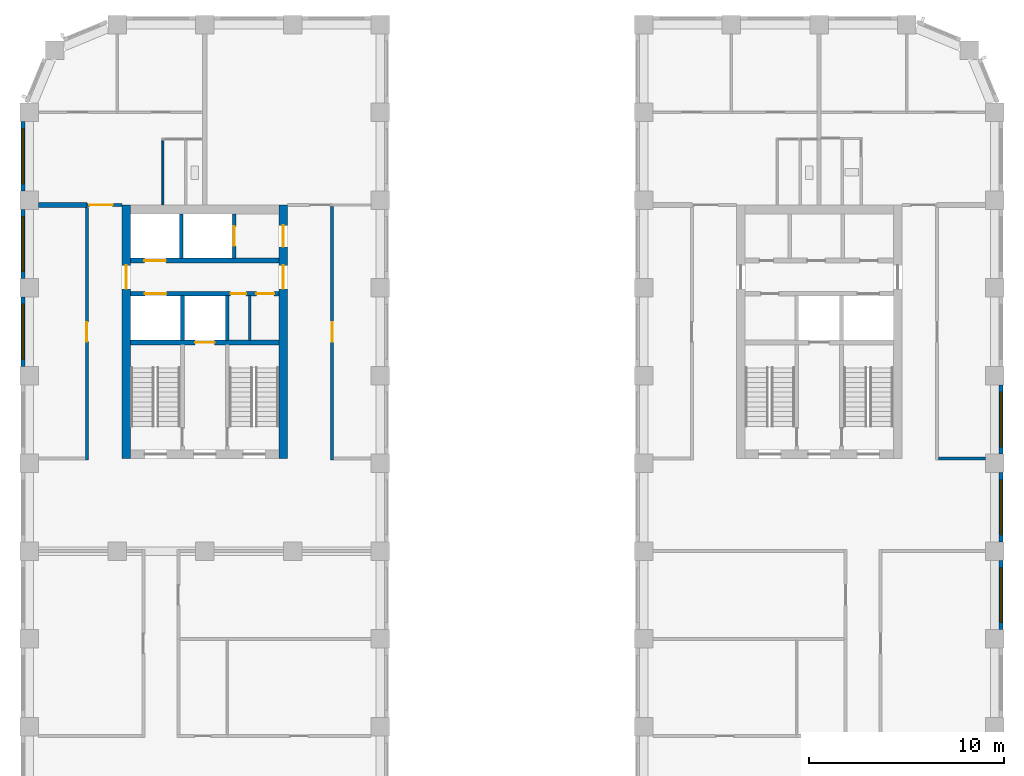
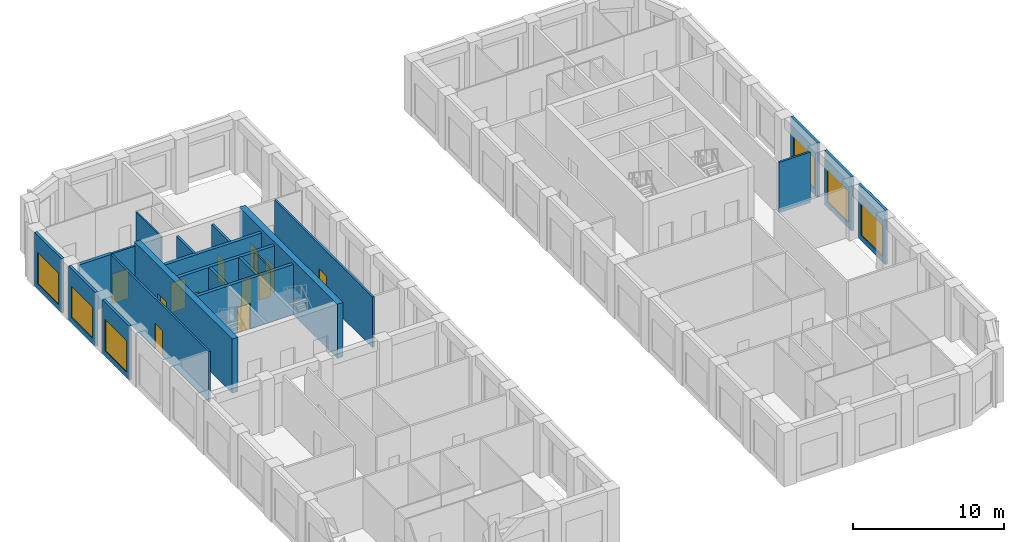
# One storey, part 6 of 12: 22 walls, 12 doors, 6 windows, 18 openings.
"""IFC4 building model written with IfcOpenShell, lengths in metres."""

import ifcopenshell
import ifcopenshell.guid

model = None  # the IFC model being written
_history = None  # IfcOwnerHistory: only IFC2X3 demands one
_inside = {}  # id of a spatial element -> (the spatial element, [elements in it])
_under = {}  # id of a project, library or spatial element -> (it, [spatial elements below it])
_declared = {}  # id of a project -> (the project, [libraries it declares])
_typed = {}  # id of a type object -> (the type object, [elements of that type])
_made_of = {}  # id of a material, layer set ... -> (it, [elements and type objects made of it])


def new_model(schema):
    """Start an empty IFC model of exactly this schema.

    Asked for "IFC4X3", IfcOpenShell would pick the latest addendum, in which some entities
    have other attributes; the version numbers below select the first issue.
    IFC2X3 requires an IfcOwnerHistory on every rooted entity: one is made here for all.
    """
    global model, _history
    if schema == "IFC4X3":
        model = ifcopenshell.file(schema_version=(4, 3, 0, 0))
    else:
        model = ifcopenshell.file(schema=schema)
    _inside.clear()
    _under.clear()
    _declared.clear()
    _typed.clear()
    _made_of.clear()
    _history = None
    if model.schema == "IFC2X3":
        org = make("IfcOrganization", Name="unknown")
        user = make(
            "IfcPersonAndOrganization",
            ThePerson=make("IfcPerson", FamilyName="unknown"),
            TheOrganization=org,
        )
        app = make(
            "IfcApplication",
            ApplicationDeveloper=org,
            Version="unknown",
            ApplicationFullName="unknown",
            ApplicationIdentifier="unknown",
        )
        _history = make(
            "IfcOwnerHistory",
            OwningUser=user,
            OwningApplication=app,
            ChangeAction="ADDED",
            CreationDate=0,
        )
    return model


def make(cls, **values):
    """One entity of the class cls with the attributes given. An attribute that is None is left unset."""
    return model.create_entity(
        cls, **{name: value for name, value in values.items() if value is not None}
    )


def rooted(cls, **values):
    """An entity with a GlobalId (a new one), such as an element, a storey or a relation."""
    return make(cls, GlobalId=ifcopenshell.guid.new(), OwnerHistory=_history, **values)


def si_unit(unit_type, name, prefix=None):
    """IfcSIUnit, for example si_unit("LENGTHUNIT", "METRE", prefix="MILLI")."""
    return make("IfcSIUnit", UnitType=unit_type, Prefix=prefix, Name=name)


def assignment(units):
    """IfcUnitAssignment: the units of a project."""
    return None if units is None else make("IfcUnitAssignment", Units=units)


def point(xyz):
    """IfcCartesianPoint."""
    return None if xyz is None else make("IfcCartesianPoint", Coordinates=xyz)


def direction(xyz):
    """IfcDirection."""
    return None if xyz is None else make("IfcDirection", DirectionRatios=xyz)


def frame(location, z_axis=None, x_axis=None):
    """IfcAxis2Placement3D, a coordinate frame: its origin and axes. An axis left out is left unset."""
    return make(
        "IfcAxis2Placement3D",
        Location=point(location),
        Axis=direction(z_axis),
        RefDirection=direction(x_axis),
    )


def frame_2d(location, x_axis=None):
    """IfcAxis2Placement2D, a coordinate frame in the plane: its origin and x axis."""
    return make(
        "IfcAxis2Placement2D", Location=point(location), RefDirection=direction(x_axis)
    )


def origin():
    """The frame at (0, 0, 0) with its axes left unset."""
    return frame((0.0, 0.0, 0.0))


def place(relative_to, where):
    """IfcLocalPlacement: puts the frame where relative to a parent placement (None: the world)."""
    return make(
        "IfcLocalPlacement", PlacementRelTo=relative_to, RelativePlacement=where
    )


def context(
    kind, dimensions, precision=None, world=None, true_north=None, identifier=None
):
    """IfcGeometricRepresentationContext, for example the 3D "Model" context."""
    return make(
        "IfcGeometricRepresentationContext",
        ContextIdentifier=identifier,
        ContextType=kind,
        CoordinateSpaceDimension=dimensions,
        Precision=precision,
        WorldCoordinateSystem=world,
        TrueNorth=true_north,
    )


def subcontext(parent, identifier, kind, view, scale=None):
    """IfcGeometricRepresentationSubContext, for example "Body" below "Model"."""
    return make(
        "IfcGeometricRepresentationSubContext",
        ContextIdentifier=identifier,
        ContextType=kind,
        ParentContext=parent,
        TargetScale=scale,
        TargetView=view,
    )


def project(units=None, contexts=None):
    """IfcProject with its units and contexts."""
    return rooted(
        "IfcProject",
        Name="project",
        RepresentationContexts=contexts,
        UnitsInContext=assignment(units),
    )


def spatial(cls, under=None, at=None, **own):
    """A site, building, storey or space (cls), placed at a placement, below another one or the project."""
    s = rooted(cls, ObjectPlacement=at, **own)
    if under is not None:
        _under.setdefault(under.id(), (under, []))[1].append(s)
    return s


def profile(cls, at=None, kind="AREA", **sizes):
    """A parametric profile (cls). Its sizes go by their IFC names, for example OverallWidth=200.0."""
    return make(cls, ProfileType=kind, Position=at, **sizes)


def rectangle(**sizes):
    """IfcRectangleProfileDef."""
    return profile("IfcRectangleProfileDef", **sizes)


def extrude(swept, where, along, depth):
    """IfcExtrudedAreaSolid: the profile swept, set in the frame where, extruded along a direction by depth."""
    return make(
        "IfcExtrudedAreaSolid",
        SweptArea=swept,
        Position=where,
        ExtrudedDirection=direction(along),
        Depth=depth,
    )


def shape(context_of_items, identifier, shape_type, items):
    """IfcShapeRepresentation: the items that make up one representation, for example the "Body"."""
    return make(
        "IfcShapeRepresentation",
        ContextOfItems=context_of_items,
        RepresentationIdentifier=identifier,
        RepresentationType=shape_type,
        Items=items,
    )


def material(Name=None, Category=None):
    """IfcMaterial."""
    return make("IfcMaterial", Name=Name, Category=Category)


def layer(
    of_material, thickness, ventilated=None, Name=None, Category=None, Priority=None
):
    """IfcMaterialLayer: one layer of a wall or slab, of a material (None: an air gap)."""
    return make(
        "IfcMaterialLayer",
        Material=of_material,
        LayerThickness=thickness,
        IsVentilated=ventilated,
        Name=Name,
        Category=Category,
        Priority=Priority,
    )


def layer_set(layers, Name=None):
    """IfcMaterialLayerSet."""
    return make("IfcMaterialLayerSet", MaterialLayers=layers, LayerSetName=Name)


def made_of(thing, what):
    """Note that an element or type object is made of a material, layer set ...; save() writes the relation."""
    if what is not None:
        _made_of.setdefault(what.id(), (what, []))[1].append(thing)
    return thing


def type_object(cls, material=None, **own):
    """A type object (cls), such as IfcWallType, which elements share."""
    return made_of(rooted(cls, **own), material)


def element(
    cls,
    number,
    at=None,
    inside=None,
    cuts=None,
    type_object=None,
    material=None,
    context=None,
    identifier="Body",
    shape_type=None,
    held_by="IfcProductDefinitionShape",
    body=None,
    shapes=None,
    **own,
):
    """One element of the class cls, such as IfcWall. Its Tag is "e" and its number.

    at: its placement. inside: the storey or other place that contains it. cuts: it is an
    opening in that element (IfcRelVoidsElement). A single representation is given by context,
    identifier, shape_type and body (its items); several are given by shapes. held_by: the class
    of the entity that holds the representations. save() writes the other relations.
    """
    e = rooted(cls, Tag="e%d" % number, ObjectPlacement=at, **own)
    if body is not None:
        shapes = [shape(context, identifier, shape_type, body)]
    if shapes is not None:
        e.Representation = make(held_by, Representations=shapes)
    if inside is not None:
        _inside.setdefault(inside.id(), (inside, []))[1].append(e)
    if cuts is not None:
        rooted(
            "IfcRelVoidsElement", RelatingBuildingElement=cuts, RelatedOpeningElement=e
        )
    if type_object is not None:
        _typed.setdefault(type_object.id(), (type_object, []))[1].append(e)
    return made_of(e, material)


def fill(opening, filler):
    """IfcRelFillsElement: the door or window that sits in an opening."""
    return rooted(
        "IfcRelFillsElement",
        RelatingOpeningElement=opening,
        RelatedBuildingElement=filler,
    )


def aggregate(whole, parts):
    """IfcRelAggregates: a whole, such as a stair, and the parts it consists of."""
    return rooted("IfcRelAggregates", RelatingObject=whole, RelatedObjects=parts)


def save(model, path):
    """Write the relations noted so far, then the file.

    IfcRelAggregates (storeys below a building ...), IfcRelContainedInSpatialStructure (elements
    in a storey), IfcRelDefinesByType, IfcRelAssociatesMaterial and IfcRelDeclares: one each for
    every whole, place, type object, material and project.
    """
    for whole, parts in _under.values():
        aggregate(whole, parts)
    for where, things in _inside.values():
        rooted(
            "IfcRelContainedInSpatialStructure",
            RelatedElements=things,
            RelatingStructure=where,
        )
    for kind, things in _typed.values():
        rooted("IfcRelDefinesByType", RelatedObjects=things, RelatingType=kind)
    for what, things in _made_of.values():
        rooted("IfcRelAssociatesMaterial", RelatedObjects=things, RelatingMaterial=what)
    for by, libraries in _declared.values():
        rooted("IfcRelDeclares", RelatingContext=by, RelatedDefinitions=libraries)
    model.write(path)


model = new_model("IFC4")

# Units and contexts
model_context = context("Model", 3, precision=1e-05, world=origin(), true_north=direction((0.0, 1.0)))
body_context = subcontext(model_context, "Body", "Model", "MODEL_VIEW")
ifc_project = project(units=[si_unit("LENGTHUNIT", "METRE"), si_unit("AREAUNIT", "SQUARE_METRE"), si_unit("VOLUMEUNIT", "CUBIC_METRE"), si_unit("PLANEANGLEUNIT", "RADIAN"), si_unit("MASSUNIT", "GRAM", prefix="KILO")], contexts=[model_context])

# Site, building, storey
site_placement = place(None, origin())
site = spatial("IfcSite", under=ifc_project, at=site_placement, CompositionType="ELEMENT")
building_placement = place(site_placement, origin())
building = spatial("IfcBuilding", under=site, at=building_placement, Name="Girih Gate Residences", CompositionType="ELEMENT")
storey_placement = place(building_placement, frame((0.0, 0.0, 155.0)))
storey = spatial("IfcBuildingStorey", under=building, at=storey_placement, Name="L43", CompositionType="ELEMENT", Elevation=155.0)

# Wall
ifc_material_1 = material(Name="Gypsum board on steel studs", Category="steel")
ifc_layer_1 = layer(ifc_material_1, 0.25)
ifc_layer_set_1 = layer_set([ifc_layer_1], Name="Acoustic separating wall 250 mm")
wall_type_1 = type_object("IfcWallType", Name="Acoustic separating wall 250 mm", PredefinedType="PARTITIONING", material=ifc_layer_set_1)
wall_1_placement = place(storey_placement, frame((0.47509765625, 40.25, 0.0), z_axis=(0.0, 0.0, 1.0), x_axis=(1.0, 0.0, 0.0)))
element("IfcWall", 1, at=wall_1_placement, inside=storey, type_object=wall_type_1, Name="L43 partition", PredefinedType="PARTITIONING", context=body_context, shape_type="SweptSolid", body=[
    extrude(rectangle(XDim=2.474853515625, YDim=0.25, at=frame_2d((1.2373046875, 0.0))), origin(), (0.0, 0.0, 1.0), 4.10009765625),
])

# Wall, opening, door
ifc_layer_2 = layer(ifc_material_1, 0.14990234375)
ifc_layer_set_2 = layer_set([ifc_layer_2], Name="Compartment wall 150 mm")
wall_type_2 = type_object("IfcWallType", Name="Compartment wall 150 mm", PredefinedType="PARTITIONING", material=ifc_layer_set_2)
wall_2_placement = place(storey_placement, frame((2.949951171875, 40.25, 0.0), z_axis=(0.0, 0.0, 1.0), x_axis=(1.0, 0.0, 0.0)))
wall_2 = element("IfcWall", 2, at=wall_2_placement, inside=storey, type_object=wall_type_2, Name="L43 partition", PredefinedType="PARTITIONING", context=body_context, shape_type="SweptSolid", body=[
    extrude(rectangle(XDim=1.800048828125, YDim=0.14990234375, at=frame_2d((0.89990234375, 0.0))), origin(), (0.0, 0.0, 1.0), 4.10009765625),
])
opening_1_placement = place(wall_2_placement, frame((0.1298828125, 0.0, 0.0)))
opening_1 = element("IfcOpeningElement", 3, at=opening_1_placement, cuts=wall_2, Name="Opening A43-012", PredefinedType="OPENING", context=body_context, shape_type="SweptSolid", body=[
    extrude(rectangle(XDim=1.199951171875, YDim=2.39990234375, at=frame_2d((0.60009765625, 1.199951171875))), frame((0.0, 0.0849609375, 0.0), z_axis=(0.0, -1.0, 0.0), x_axis=(1.0, 0.0, 0.0)), (0.0, 0.0, 1.0), 0.169921875),
])
ifc_material_2 = material(Name="Timber, fire-rated core", Category="wood")
door_type_1 = type_object("IfcDoorType", Name="Villa entrance door 1200x2400 FD30S", OperationType="NOTDEFINED", PredefinedType="DOOR", material=ifc_material_2)
door_1_placement = place(opening_1_placement, origin())
door_1 = element("IfcDoor", 4, at=door_1_placement, inside=storey, type_object=door_type_1, Name="Door A43-012", OperationType="SINGLE_SWING_LEFT", OverallHeight=2.39990234375, OverallWidth=1.199951171875, PredefinedType="DOOR", context=body_context, shape_type="SweptSolid", body=[
    extrude(rectangle(XDim=1.199951171875, YDim=2.39990234375, at=frame_2d((0.60009765625, 1.199951171875))), frame((0.0, 0.02490234375, 0.0), z_axis=(0.0, -1.0, 0.0), x_axis=(1.0, 0.0, 0.0)), (0.0, 0.0, 1.0), 0.050048828125),
])
fill(opening_1, door_1)

# Wall
wall_3_placement = place(storey_placement, frame((46.625, 27.25, 0.0), z_axis=(0.0, 0.0, 1.0), x_axis=(1.0, 0.0, 0.0)))
element("IfcWall", 5, at=wall_3_placement, inside=storey, type_object=wall_type_2, Name="L43 partition", PredefinedType="PARTITIONING", context=body_context, shape_type="SweptSolid", body=[
    extrude(rectangle(XDim=2.39990234375, YDim=0.14990234375, at=frame_2d((1.199951171875, 0.0))), origin(), (0.0, 0.0, 1.0), 4.10009765625),
])

# Wall, opening, door
wall_4_placement = place(storey_placement, frame((15.52490234375, 40.175048828125, 0.0), z_axis=(0.0, 0.0, 1.0), x_axis=(0.0, -1.0, 0.0)))
wall_4 = element("IfcWall", 6, at=wall_4_placement, inside=storey, type_object=wall_type_2, Name="L43 partition", PredefinedType="PARTITIONING", context=body_context, shape_type="SweptSolid", body=[
    extrude(rectangle(XDim=13.0, YDim=0.14990234375, at=frame_2d((6.5, 0.0))), origin(), (0.0, 0.0, 1.0), 4.10009765625),
])
opening_2_placement = place(wall_4_placement, frame((5.925048828125, 0.0, 0.0)))
opening_2 = element("IfcOpeningElement", 7, at=opening_2_placement, cuts=wall_4, Name="Opening A43-042", PredefinedType="OPENING", context=body_context, shape_type="SweptSolid", body=[
    extrude(rectangle(XDim=1.0, YDim=2.10009765625, at=frame_2d((0.5, 1.050048828125))), frame((0.0, 0.0849609375, 0.0), z_axis=(0.0, -1.0, 0.0), x_axis=(1.0, 0.0, 0.0)), (0.0, 0.0, 1.0), 0.169921875),
])
door_type_2 = type_object("IfcDoorType", Name="Amenity room door 1000x2100 FD30S", OperationType="NOTDEFINED", PredefinedType="DOOR", material=ifc_material_2)
door_2_placement = place(opening_2_placement, origin())
door_2 = element("IfcDoor", 8, at=door_2_placement, inside=storey, type_object=door_type_2, Name="Door A43-042", OperationType="SINGLE_SWING_LEFT", OverallHeight=2.10009765625, OverallWidth=1.0, PredefinedType="DOOR", context=body_context, shape_type="SweptSolid", body=[
    extrude(rectangle(XDim=1.0, YDim=2.10009765625, at=frame_2d((0.5, 1.050048828125))), frame((0.0, 0.02490234375, 0.0), z_axis=(0.0, -1.0, 0.0), x_axis=(1.0, 0.0, 0.0)), (0.0, 0.0, 1.0), 0.050048828125),
])
fill(opening_2, door_2)

wall_5_placement = place(storey_placement, frame((2.949951171875, 27.175048828125, 0.0), z_axis=(0.0, 0.0, 1.0), x_axis=(0.0, 1.0, 0.0)))
wall_5 = element("IfcWall", 9, at=wall_5_placement, inside=storey, type_object=wall_type_2, Name="L43 partition", PredefinedType="PARTITIONING", context=body_context, shape_type="SweptSolid", body=[
    extrude(rectangle(XDim=12.949951171875, YDim=0.14990234375, at=frame_2d((6.47509765625, 0.0))), origin(), (0.0, 0.0, 1.0), 4.10009765625),
])
opening_3_placement = place(wall_5_placement, frame((6.074951171875, 0.0, 0.0)))
opening_3 = element("IfcOpeningElement", 10, at=opening_3_placement, cuts=wall_5, Name="Opening A43-043", PredefinedType="OPENING", context=body_context, shape_type="SweptSolid", body=[
    extrude(rectangle(XDim=1.0, YDim=2.10009765625, at=frame_2d((0.5, 1.050048828125))), frame((0.0, 0.0849609375, 0.0), z_axis=(0.0, -1.0, 0.0), x_axis=(1.0, 0.0, 0.0)), (0.0, 0.0, 1.0), 0.169921875),
])
door_3_placement = place(opening_3_placement, origin())
door_3 = element("IfcDoor", 11, at=door_3_placement, inside=storey, type_object=door_type_2, Name="Door A43-043", OperationType="SINGLE_SWING_RIGHT", OverallHeight=2.10009765625, OverallWidth=1.0, PredefinedType="DOOR", context=body_context, shape_type="SweptSolid", body=[
    extrude(rectangle(XDim=1.0, YDim=2.10009765625, at=frame_2d((0.5, 1.050048828125))), frame((0.0, 0.02490234375, 0.0), z_axis=(0.0, -1.0, 0.0), x_axis=(1.0, 0.0, 0.0)), (0.0, 0.0, 1.0), 0.050048828125),
])
fill(opening_3, door_3)

ifc_material_3 = material(Name="Concrete C60/75", Category="concrete")
ifc_layer_3 = layer(ifc_material_3, 0.449951171875)
ifc_layer_set_3 = layer_set([ifc_layer_3], Name="Core wall RC 450 Concrete C60/75")
wall_type_3 = type_object("IfcWallType", Name="Core wall RC 450 Concrete C60/75", PredefinedType="SOLIDWALL", material=ifc_layer_set_3)
wall_6_placement = place(storey_placement, frame((4.97509765625, 27.25, 0.0), z_axis=(0.0, 0.0, 1.0), x_axis=(0.0, 1.0, 0.0)))
wall_6 = element("IfcWall", 12, at=wall_6_placement, inside=storey, type_object=wall_type_3, Name="Core wall W-W L43", PredefinedType="SOLIDWALL", context=body_context, shape_type="SweptSolid", body=[
    extrude(rectangle(XDim=13.0, YDim=0.449951171875, at=frame_2d((6.5, 0.0))), origin(), (0.0, 0.0, 1.0), 4.39990234375),
])
opening_4_placement = place(wall_6_placement, frame((8.699951171875, 0.0, 0.0)))
opening_4 = element("IfcOpeningElement", 13, at=opening_4_placement, cuts=wall_6, Name="Opening D-L43-W-013", PredefinedType="OPENING", context=body_context, shape_type="SweptSolid", body=[
    extrude(rectangle(XDim=1.199951171875, YDim=2.10009765625, at=frame_2d((0.60009765625, 1.050048828125))), frame((0.0, 0.23486328125, 0.0), z_axis=(0.0, -1.0, 0.0), x_axis=(1.0, 0.0, 0.0)), (0.0, 0.0, 1.0), 0.469970703125),
])
ifc_material_4 = material(Name="Painted steel, fire-resisting", Category="steel")
door_type_3 = type_object("IfcDoorType", Name="Fire door 1200x2100", OperationType="SINGLE_SWING_LEFT", PredefinedType="DOOR", material=ifc_material_4)
door_4_placement = place(opening_4_placement, origin())
door_4 = element("IfcDoor", 14, at=door_4_placement, inside=storey, type_object=door_type_3, Name="L43 W core door ll-w", OperationType="SINGLE_SWING_LEFT", OverallHeight=2.10009765625, OverallWidth=1.199951171875, PredefinedType="DOOR", context=body_context, shape_type="SweptSolid", body=[
    extrude(rectangle(XDim=1.199951171875, YDim=2.10009765625, at=frame_2d((0.60009765625, 1.050048828125))), frame((0.0, 0.02490234375, 0.0), z_axis=(0.0, -1.0, 0.0), x_axis=(1.0, 0.0, 0.0)), (0.0, 0.0, 1.0), 0.050048828125),
])
fill(opening_4, door_4)

# Wall, openings, doors
wall_7_placement = place(storey_placement, frame((13.02490234375, 27.25, 0.0), z_axis=(0.0, 0.0, 1.0), x_axis=(0.0, 1.0, 0.0)))
wall_7 = element("IfcWall", 15, at=wall_7_placement, inside=storey, type_object=wall_type_3, Name="Core wall W-E L43", PredefinedType="SOLIDWALL", context=body_context, shape_type="SweptSolid", body=[
    extrude(rectangle(XDim=13.0, YDim=0.449951171875, at=frame_2d((6.5, 0.0))), origin(), (0.0, 0.0, 1.0), 4.39990234375),
])
opening_5_placement = place(wall_7_placement, frame((10.85009765625, 0.0, 0.0)))
opening_5 = element("IfcOpeningElement", 16, at=opening_5_placement, cuts=wall_7, Name="Opening D-L43-W-012", PredefinedType="OPENING", context=body_context, shape_type="SweptSolid", body=[
    extrude(rectangle(XDim=1.10009765625, YDim=2.10009765625, at=frame_2d((0.550048828125, 1.050048828125))), frame((0.0, 0.23486328125, 0.0), z_axis=(0.0, -1.0, 0.0), x_axis=(1.0, 0.0, 0.0)), (0.0, 0.0, 1.0), 0.469970703125),
])
opening_6_placement = place(wall_7_placement, frame((8.699951171875, 0.0, 0.0)))
opening_6 = element("IfcOpeningElement", 17, at=opening_6_placement, cuts=wall_7, Name="Opening D-L43-W-014", PredefinedType="OPENING", context=body_context, shape_type="SweptSolid", body=[
    extrude(rectangle(XDim=1.199951171875, YDim=2.10009765625, at=frame_2d((0.60009765625, 1.050048828125))), frame((0.0, 0.23486328125, 0.0), z_axis=(0.0, -1.0, 0.0), x_axis=(1.0, 0.0, 0.0)), (0.0, 0.0, 1.0), 0.469970703125),
])
door_type_4 = type_object("IfcDoorType", Name="Fire door 1100x2100", OperationType="SINGLE_SWING_LEFT", PredefinedType="DOOR", material=ifc_material_4)
door_5_placement = place(opening_5_placement, origin())
door_5 = element("IfcDoor", 18, at=door_5_placement, inside=storey, type_object=door_type_4, Name="L43 W core door ffl2-e", OperationType="SINGLE_SWING_LEFT", OverallHeight=2.10009765625, OverallWidth=1.10009765625, PredefinedType="DOOR", context=body_context, shape_type="SweptSolid", body=[
    extrude(rectangle(XDim=1.10009765625, YDim=2.10009765625, at=frame_2d((0.550048828125, 1.050048828125))), frame((0.0, 0.02490234375, 0.0), z_axis=(0.0, -1.0, 0.0), x_axis=(1.0, 0.0, 0.0)), (0.0, 0.0, 1.0), 0.050048828125),
])
fill(opening_5, door_5)
door_6_placement = place(opening_6_placement, origin())
door_6 = element("IfcDoor", 19, at=door_6_placement, inside=storey, type_object=door_type_3, Name="L43 W core door ll-e", OperationType="SINGLE_SWING_LEFT", OverallHeight=2.10009765625, OverallWidth=1.199951171875, PredefinedType="DOOR", context=body_context, shape_type="SweptSolid", body=[
    extrude(rectangle(XDim=1.199951171875, YDim=2.10009765625, at=frame_2d((0.60009765625, 1.050048828125))), frame((0.0, 0.02490234375, 0.0), z_axis=(0.0, -1.0, 0.0), x_axis=(1.0, 0.0, 0.0)), (0.0, 0.0, 1.0), 0.050048828125),
])
fill(opening_6, door_6)

# Wall, opening, door
ifc_material_5 = material(Name="Concrete C40/50", Category="concrete")
ifc_layer_4 = layer(ifc_material_5, 0.25)
ifc_layer_set_4 = layer_set([ifc_layer_4], Name="Lift shaft wall 250")
wall_type_4 = type_object("IfcWallType", Name="Lift shaft wall 250", PredefinedType="SOLIDWALL", material=ifc_layer_set_4)
wall_8_placement = place(storey_placement, frame((5.199951171875, 33.199951171875, 0.0), z_axis=(0.0, 0.0, 1.0), x_axis=(1.0, 0.0, 0.0)))
wall_8 = element("IfcWall", 20, at=wall_8_placement, inside=storey, type_object=wall_type_4, Name="L43 W core wall H1", PredefinedType="SOLIDWALL", context=body_context, shape_type="SweptSolid", body=[
    extrude(rectangle(XDim=7.60009765625, YDim=0.25, at=frame_2d((3.800048828125, 0.0))), origin(), (0.0, 0.0, 1.0), 4.10009765625),
])
opening_7_placement = place(wall_8_placement, frame((3.300048828125, 0.0, 0.0)))
opening_7 = element("IfcOpeningElement", 21, at=opening_7_placement, cuts=wall_8, Name="Opening D-L43-W-006", PredefinedType="OPENING", context=body_context, shape_type="SweptSolid", body=[
    extrude(rectangle(XDim=1.0, YDim=2.10009765625, at=frame_2d((0.5, 1.050048828125))), frame((0.0, 0.135009765625, 0.0), z_axis=(0.0, -1.0, 0.0), x_axis=(1.0, 0.0, 0.0)), (0.0, 0.0, 1.0), 0.27001953125),
])
ifc_material_6 = material(Name="Stainless steel, fire-resisting", Category="steel")
door_type_5 = type_object("IfcDoorType", Name="Firefighting lift landing door 1000x2100", OperationType="SLIDING_TO_LEFT", PredefinedType="DOOR", material=ifc_material_6)
door_7_placement = place(opening_7_placement, origin())
door_7 = element("IfcDoor", 22, at=door_7_placement, inside=storey, type_object=door_type_5, Name="L43 lift FF-W landing door", OperationType="SLIDING_TO_LEFT", OverallHeight=2.10009765625, OverallWidth=1.0, PredefinedType="DOOR", context=body_context, shape_type="SweptSolid", body=[
    extrude(rectangle(XDim=1.0, YDim=2.10009765625, at=frame_2d((0.5, 1.050048828125))), frame((0.0, 0.02490234375, 0.0), z_axis=(0.0, -1.0, 0.0), x_axis=(1.0, 0.0, 0.0)), (0.0, 0.0, 1.0), 0.050048828125),
])
fill(opening_7, door_7)

# Wall, openings, doors
wall_9_placement = place(storey_placement, frame((5.199951171875, 35.699951171875, 0.0), z_axis=(0.0, 0.0, 1.0), x_axis=(1.0, 0.0, 0.0)))
wall_9 = element("IfcWall", 23, at=wall_9_placement, inside=storey, type_object=wall_type_4, Name="L43 W core wall H2", PredefinedType="SOLIDWALL", context=body_context, shape_type="SweptSolid", body=[
    extrude(rectangle(XDim=7.60009765625, YDim=0.25, at=frame_2d((3.800048828125, 0.0))), origin(), (0.0, 0.0, 1.0), 4.10009765625),
])
opening_8_placement = place(wall_9_placement, frame((0.72509765625, 0.0, 0.0)))
opening_8 = element("IfcOpeningElement", 24, at=opening_8_placement, cuts=wall_9, Name="Opening D-L43-W-005", PredefinedType="OPENING", context=body_context, shape_type="SweptSolid", body=[
    extrude(rectangle(XDim=1.10009765625, YDim=2.39990234375, at=frame_2d((0.550048828125, 1.199951171875))), frame((0.0, 0.135009765625, 0.0), z_axis=(0.0, -1.0, 0.0), x_axis=(1.0, 0.0, 0.0)), (0.0, 0.0, 1.0), 0.27001953125),
])
opening_9_placement = place(wall_9_placement, frame((5.125, 0.0, 0.0)))
opening_9 = element("IfcOpeningElement", 25, at=opening_9_placement, cuts=wall_9, Name="Opening D-L43-W-007", PredefinedType="OPENING", context=body_context, shape_type="SweptSolid", body=[
    extrude(rectangle(XDim=0.800048828125, YDim=2.10009765625, at=frame_2d((0.39990234375, 1.050048828125))), frame((0.0, 0.135009765625, 0.0), z_axis=(0.0, -1.0, 0.0), x_axis=(1.0, 0.0, 0.0)), (0.0, 0.0, 1.0), 0.27001953125),
])
opening_10_placement = place(wall_9_placement, frame((6.449951171875, 0.0, 0.0)))
opening_10 = element("IfcOpeningElement", 26, at=opening_10_placement, cuts=wall_9, Name="Opening D-L43-W-008", PredefinedType="OPENING", context=body_context, shape_type="SweptSolid", body=[
    extrude(rectangle(XDim=0.89990234375, YDim=2.10009765625, at=frame_2d((0.449951171875, 1.050048828125))), frame((0.0, 0.135009765625, 0.0), z_axis=(0.0, -1.0, 0.0), x_axis=(1.0, 0.0, 0.0)), (0.0, 0.0, 1.0), 0.27001953125),
])
door_type_6 = type_object("IfcDoorType", Name="Fire door 800x2100", OperationType="SINGLE_SWING_LEFT", PredefinedType="DOOR", material=ifc_material_4)
door_8_placement = place(opening_9_placement, origin())
door_8 = element("IfcDoor", 27, at=door_8_placement, inside=storey, type_object=door_type_6, Name="L43 W riser room door", OperationType="SINGLE_SWING_LEFT", OverallHeight=2.10009765625, OverallWidth=0.800048828125, PredefinedType="DOOR", context=body_context, shape_type="SweptSolid", body=[
    extrude(rectangle(XDim=0.800048828125, YDim=2.10009765625, at=frame_2d((0.39990234375, 1.050048828125))), frame((0.0, 0.02490234375, 0.0), z_axis=(0.0, -1.0, 0.0), x_axis=(1.0, 0.0, 0.0)), (0.0, 0.0, 1.0), 0.050048828125),
])
fill(opening_9, door_8)
door_type_7 = type_object("IfcDoorType", Name="Fire door 900x2100", OperationType="SINGLE_SWING_LEFT", PredefinedType="DOOR", material=ifc_material_4)
door_9_placement = place(opening_10_placement, origin())
door_9 = element("IfcDoor", 28, at=door_9_placement, inside=storey, type_object=door_type_7, Name="L43 W linen store door", OperationType="SINGLE_SWING_LEFT", OverallHeight=2.10009765625, OverallWidth=0.89990234375, PredefinedType="DOOR", context=body_context, shape_type="SweptSolid", body=[
    extrude(rectangle(XDim=0.89990234375, YDim=2.10009765625, at=frame_2d((0.449951171875, 1.050048828125))), frame((0.0, 0.02490234375, 0.0), z_axis=(0.0, -1.0, 0.0), x_axis=(1.0, 0.0, 0.0)), (0.0, 0.0, 1.0), 0.050048828125),
])
fill(opening_10, door_9)
ifc_material_7 = material(Name="Stainless steel", Category="steel")
door_type_8 = type_object("IfcDoorType", Name="Lift landing door 1100x2400", OperationType="SLIDING_TO_LEFT", PredefinedType="DOOR", material=ifc_material_7)
door_10_placement = place(opening_8_placement, origin())
door_10 = element("IfcDoor", 29, at=door_10_placement, inside=storey, type_object=door_type_8, Name="L43 lift HR-W1 landing door", OperationType="SLIDING_TO_LEFT", OverallHeight=2.39990234375, OverallWidth=1.10009765625, PredefinedType="DOOR", context=body_context, shape_type="SweptSolid", body=[
    extrude(rectangle(XDim=1.10009765625, YDim=2.39990234375, at=frame_2d((0.550048828125, 1.199951171875))), frame((0.0, 0.02490234375, 0.0), z_axis=(0.0, -1.0, 0.0), x_axis=(1.0, 0.0, 0.0)), (0.0, 0.0, 1.0), 0.050048828125),
])
fill(opening_8, door_10)

# Wall, opening, door
wall_10_placement = place(storey_placement, frame((5.199951171875, 37.39990234375, 0.0), z_axis=(0.0, 0.0, 1.0), x_axis=(1.0, 0.0, 0.0)))
wall_10 = element("IfcWall", 30, at=wall_10_placement, inside=storey, type_object=wall_type_4, Name="L43 W core wall H3", PredefinedType="SOLIDWALL", context=body_context, shape_type="SweptSolid", body=[
    extrude(rectangle(XDim=7.60009765625, YDim=0.25, at=frame_2d((3.800048828125, 0.0))), origin(), (0.0, 0.0, 1.0), 4.10009765625),
])
opening_11_placement = place(wall_10_placement, frame((0.699951171875, 0.0, 0.0)))
opening_11 = element("IfcOpeningElement", 31, at=opening_11_placement, cuts=wall_10, Name="Opening D-L43-W-003", PredefinedType="OPENING", context=body_context, shape_type="SweptSolid", body=[
    extrude(rectangle(XDim=1.10009765625, YDim=2.39990234375, at=frame_2d((0.550048828125, 1.199951171875))), frame((0.0, 0.135009765625, 0.0), z_axis=(0.0, -1.0, 0.0), x_axis=(1.0, 0.0, 0.0)), (0.0, 0.0, 1.0), 0.27001953125),
])
door_11_placement = place(opening_11_placement, origin())
door_11 = element("IfcDoor", 32, at=door_11_placement, inside=storey, type_object=door_type_8, Name="L43 lift LR-W1 landing door", OperationType="SLIDING_TO_LEFT", OverallHeight=2.39990234375, OverallWidth=1.10009765625, PredefinedType="DOOR", context=body_context, shape_type="SweptSolid", body=[
    extrude(rectangle(XDim=1.10009765625, YDim=2.39990234375, at=frame_2d((0.550048828125, 1.199951171875))), frame((0.0, 0.02490234375, 0.0), z_axis=(0.0, -1.0, 0.0), x_axis=(1.0, 0.0, 0.0)), (0.0, 0.0, 1.0), 0.050048828125),
])
fill(opening_11, door_11)

# Wall
ifc_layer_5 = layer(ifc_material_1, 0.10009765625)
ifc_layer_set_5 = layer_set([ifc_layer_5], Name="Partition 100 mm")
wall_type_5 = type_object("IfcWallType", Name="Partition 100 mm", PredefinedType="PARTITIONING", material=ifc_layer_set_5)
wall_11_placement = place(storey_placement, frame((6.85009765625, 40.25, 0.0), z_axis=(0.0, 0.0, 1.0), x_axis=(0.0, 1.0, 0.0)))
element("IfcWall", 33, at=wall_11_placement, inside=storey, type_object=wall_type_5, Name="L43 partition", PredefinedType="PARTITIONING", context=body_context, shape_type="SweptSolid", body=[
    extrude(rectangle(XDim=3.320068359375, YDim=0.10009765625, at=frame_2d((1.66015625, 0.0))), origin(), (0.0, 0.0, 1.0), 4.10009765625),
])

# Wall, opening, window
ifc_material_8 = material(Name="Precast concrete C50/60", Category="concrete")
ifc_layer_6 = layer(ifc_material_8, 0.06005859375, Name="Outer leaf")
ifc_material_9 = material(Name="Rigid PIR insulation")
ifc_layer_7 = layer(ifc_material_9, 0.090087890625, Name="Insulation")
ifc_material_10 = material(Name="Precast concrete C40/50", Category="concrete")
ifc_layer_8 = layer(ifc_material_10, 0.050048828125, Name="Inner leaf")
ifc_layer_set_6 = layer_set([ifc_layer_6, ifc_layer_7, ifc_layer_8], Name="Precast concrete C50/60 external wall 200")
wall_type_6 = type_object("IfcWallType", Name="Precast concrete C50/60 external wall 200", PredefinedType="SOLIDWALL", material=ifc_layer_set_6)
wall_12_placement = place(storey_placement, frame((-0.324951171875, 40.97509765625, 0.0), z_axis=(0.0, 0.0, 1.0), x_axis=(0.0, 1.0, 0.0)))
wall_12 = element("IfcWall", 34, at=wall_12_placement, inside=storey, type_object=wall_type_6, Name="External wall W0000_0450.0", PredefinedType="SOLIDWALL", context=body_context, shape_type="SweptSolid", body=[
    extrude(rectangle(XDim=3.5498046875, YDim=0.199951171875, at=frame_2d((1.77490234375, 0.0))), origin(), (0.0, 0.0, 1.0), 4.39990234375),
])
opening_12_placement = place(wall_12_placement, frame((0.375, 0.0, 0.449951171875)))
opening_12 = element("IfcOpeningElement", 35, at=opening_12_placement, cuts=wall_12, Name="Opening W-6A", PredefinedType="OPENING", context=body_context, shape_type="SweptSolid", body=[
    extrude(rectangle(XDim=2.800048828125, YDim=2.550048828125, at=frame_2d((1.39990234375, 1.27490234375))), frame((0.0, 0.10986328125, 0.0), z_axis=(0.0, -1.0, 0.0), x_axis=(1.0, 0.0, 0.0)), (0.0, 0.0, 1.0), 0.219970703125),
])
ifc_material_11 = material(Name="Double glazing in aluminium frame", Category="aluminium")
window_type = type_object("IfcWindowType", Name="Window W-6A 2800x2550", PartitioningType="SINGLE_PANEL", PredefinedType="WINDOW", material=ifc_material_11)
window_1_placement = place(opening_12_placement, origin())
window_1 = element("IfcWindow", 36, at=window_1_placement, inside=storey, type_object=window_type, Name="Window W-6A W0000_0450.0", OverallHeight=2.550048828125, OverallWidth=2.800048828125, PartitioningType="SINGLE_PANEL", PredefinedType="WINDOW", context=body_context, shape_type="SweptSolid", body=[
    extrude(rectangle(XDim=2.800048828125, YDim=2.550048828125, at=frame_2d((1.39990234375, 1.27490234375))), frame((0.0, 0.030029296875, 0.0), z_axis=(0.0, -1.0, 0.0), x_axis=(1.0, 0.0, 0.0)), (0.0, 0.0, 1.0), 0.06005859375),
])
fill(opening_12, window_1)

wall_13_placement = place(storey_placement, frame((-0.324951171875, 36.47509765625, 0.0), z_axis=(0.0, 0.0, 1.0), x_axis=(0.0, 1.0, 0.0)))
wall_13 = element("IfcWall", 37, at=wall_13_placement, inside=storey, type_object=wall_type_6, Name="External wall W0000_0450.1", PredefinedType="SOLIDWALL", context=body_context, shape_type="SweptSolid", body=[
    extrude(rectangle(XDim=3.5498046875, YDim=0.199951171875, at=frame_2d((1.77490234375, 0.0))), origin(), (0.0, 0.0, 1.0), 4.39990234375),
])
opening_13_placement = place(wall_13_placement, frame((0.375, 0.0, 0.449951171875)))
opening_13 = element("IfcOpeningElement", 38, at=opening_13_placement, cuts=wall_13, Name="Opening W-6A", PredefinedType="OPENING", context=body_context, shape_type="SweptSolid", body=[
    extrude(rectangle(XDim=2.800048828125, YDim=2.550048828125, at=frame_2d((1.39990234375, 1.27490234375))), frame((0.0, 0.10986328125, 0.0), z_axis=(0.0, -1.0, 0.0), x_axis=(1.0, 0.0, 0.0)), (0.0, 0.0, 1.0), 0.219970703125),
])
window_2_placement = place(opening_13_placement, origin())
window_2 = element("IfcWindow", 39, at=window_2_placement, inside=storey, type_object=window_type, Name="Window W-6A W0000_0450.1", OverallHeight=2.550048828125, OverallWidth=2.800048828125, PartitioningType="SINGLE_PANEL", PredefinedType="WINDOW", context=body_context, shape_type="SweptSolid", body=[
    extrude(rectangle(XDim=2.800048828125, YDim=2.550048828125, at=frame_2d((1.39990234375, 1.27490234375))), frame((0.0, 0.030029296875, 0.0), z_axis=(0.0, -1.0, 0.0), x_axis=(1.0, 0.0, 0.0)), (0.0, 0.0, 1.0), 0.06005859375),
])
fill(opening_13, window_2)

wall_14_placement = place(storey_placement, frame((-0.324951171875, 31.97509765625, 0.0), z_axis=(0.0, 0.0, 1.0), x_axis=(0.0, 1.0, 0.0)))
wall_14 = element("IfcWall", 40, at=wall_14_placement, inside=storey, type_object=wall_type_6, Name="External wall W0000_0450.2", PredefinedType="SOLIDWALL", context=body_context, shape_type="SweptSolid", body=[
    extrude(rectangle(XDim=3.5498046875, YDim=0.199951171875, at=frame_2d((1.77490234375, 0.0))), origin(), (0.0, 0.0, 1.0), 4.39990234375),
])
opening_14_placement = place(wall_14_placement, frame((0.375, 0.0, 0.449951171875)))
opening_14 = element("IfcOpeningElement", 41, at=opening_14_placement, cuts=wall_14, Name="Opening W-6A", PredefinedType="OPENING", context=body_context, shape_type="SweptSolid", body=[
    extrude(rectangle(XDim=2.800048828125, YDim=2.550048828125, at=frame_2d((1.39990234375, 1.27490234375))), frame((0.0, 0.10986328125, 0.0), z_axis=(0.0, -1.0, 0.0), x_axis=(1.0, 0.0, 0.0)), (0.0, 0.0, 1.0), 0.219970703125),
])
window_3_placement = place(opening_14_placement, origin())
window_3 = element("IfcWindow", 42, at=window_3_placement, inside=storey, type_object=window_type, Name="Window W-6A W0000_0450.2", OverallHeight=2.550048828125, OverallWidth=2.800048828125, PartitioningType="SINGLE_PANEL", PredefinedType="WINDOW", context=body_context, shape_type="SweptSolid", body=[
    extrude(rectangle(XDim=2.800048828125, YDim=2.550048828125, at=frame_2d((1.39990234375, 1.27490234375))), frame((0.0, 0.030029296875, 0.0), z_axis=(0.0, -1.0, 0.0), x_axis=(1.0, 0.0, 0.0)), (0.0, 0.0, 1.0), 0.06005859375),
])
fill(opening_14, window_3)

wall_15_placement = place(storey_placement, frame((49.824951171875, 22.02490234375, 0.0), z_axis=(0.0, 0.0, 1.0), x_axis=(0.0, -1.0, 0.0)))
wall_15 = element("IfcWall", 43, at=wall_15_placement, inside=storey, type_object=wall_type_6, Name="External wall E0495_0045.3", PredefinedType="SOLIDWALL", context=body_context, shape_type="SweptSolid", body=[
    extrude(rectangle(XDim=3.5498046875, YDim=0.199951171875, at=frame_2d((1.77490234375, 0.0))), origin(), (0.0, 0.0, 1.0), 4.39990234375),
])
opening_15_placement = place(wall_15_placement, frame((0.375, 0.0, 0.449951171875)))
opening_15 = element("IfcOpeningElement", 44, at=opening_15_placement, cuts=wall_15, Name="Opening W-6A", PredefinedType="OPENING", context=body_context, shape_type="SweptSolid", body=[
    extrude(rectangle(XDim=2.800048828125, YDim=2.550048828125, at=frame_2d((1.39990234375, 1.27490234375))), frame((0.0, 0.10986328125, 0.0), z_axis=(0.0, -1.0, 0.0), x_axis=(1.0, 0.0, 0.0)), (0.0, 0.0, 1.0), 0.219970703125),
])
window_4_placement = place(opening_15_placement, origin())
window_4 = element("IfcWindow", 45, at=window_4_placement, inside=storey, type_object=window_type, Name="Window W-6A E0495_0045.3", OverallHeight=2.550048828125, OverallWidth=2.800048828125, PartitioningType="SINGLE_PANEL", PredefinedType="WINDOW", context=body_context, shape_type="SweptSolid", body=[
    extrude(rectangle(XDim=2.800048828125, YDim=2.550048828125, at=frame_2d((1.39990234375, 1.27490234375))), frame((0.0, 0.030029296875, 0.0), z_axis=(0.0, -1.0, 0.0), x_axis=(1.0, 0.0, 0.0)), (0.0, 0.0, 1.0), 0.06005859375),
])
fill(opening_15, window_4)

wall_16_placement = place(storey_placement, frame((49.824951171875, 26.52490234375, 0.0), z_axis=(0.0, 0.0, 1.0), x_axis=(0.0, -1.0, 0.0)))
wall_16 = element("IfcWall", 46, at=wall_16_placement, inside=storey, type_object=wall_type_6, Name="External wall E0495_0045.4", PredefinedType="SOLIDWALL", context=body_context, shape_type="SweptSolid", body=[
    extrude(rectangle(XDim=3.5498046875, YDim=0.199951171875, at=frame_2d((1.77490234375, 0.0))), origin(), (0.0, 0.0, 1.0), 4.39990234375),
])
opening_16_placement = place(wall_16_placement, frame((0.375, 0.0, 0.449951171875)))
opening_16 = element("IfcOpeningElement", 47, at=opening_16_placement, cuts=wall_16, Name="Opening W-6A", PredefinedType="OPENING", context=body_context, shape_type="SweptSolid", body=[
    extrude(rectangle(XDim=2.800048828125, YDim=2.550048828125, at=frame_2d((1.39990234375, 1.27490234375))), frame((0.0, 0.10986328125, 0.0), z_axis=(0.0, -1.0, 0.0), x_axis=(1.0, 0.0, 0.0)), (0.0, 0.0, 1.0), 0.219970703125),
])
window_5_placement = place(opening_16_placement, origin())
window_5 = element("IfcWindow", 48, at=window_5_placement, inside=storey, type_object=window_type, Name="Window W-6A E0495_0045.4", OverallHeight=2.550048828125, OverallWidth=2.800048828125, PartitioningType="SINGLE_PANEL", PredefinedType="WINDOW", context=body_context, shape_type="SweptSolid", body=[
    extrude(rectangle(XDim=2.800048828125, YDim=2.550048828125, at=frame_2d((1.39990234375, 1.27490234375))), frame((0.0, 0.030029296875, 0.0), z_axis=(0.0, -1.0, 0.0), x_axis=(1.0, 0.0, 0.0)), (0.0, 0.0, 1.0), 0.06005859375),
])
fill(opening_16, window_5)

wall_17_placement = place(storey_placement, frame((49.824951171875, 31.02490234375, 0.0), z_axis=(0.0, 0.0, 1.0), x_axis=(0.0, -1.0, 0.0)))
wall_17 = element("IfcWall", 49, at=wall_17_placement, inside=storey, type_object=wall_type_6, Name="External wall E0495_0045.5", PredefinedType="SOLIDWALL", context=body_context, shape_type="SweptSolid", body=[
    extrude(rectangle(XDim=3.5498046875, YDim=0.199951171875, at=frame_2d((1.77490234375, 0.0))), origin(), (0.0, 0.0, 1.0), 4.39990234375),
])
opening_17_placement = place(wall_17_placement, frame((0.375, 0.0, 0.449951171875)))
opening_17 = element("IfcOpeningElement", 50, at=opening_17_placement, cuts=wall_17, Name="Opening W-6A", PredefinedType="OPENING", context=body_context, shape_type="SweptSolid", body=[
    extrude(rectangle(XDim=2.800048828125, YDim=2.550048828125, at=frame_2d((1.39990234375, 1.27490234375))), frame((0.0, 0.10986328125, 0.0), z_axis=(0.0, -1.0, 0.0), x_axis=(1.0, 0.0, 0.0)), (0.0, 0.0, 1.0), 0.219970703125),
])
window_6_placement = place(opening_17_placement, origin())
window_6 = element("IfcWindow", 51, at=window_6_placement, inside=storey, type_object=window_type, Name="Window W-6A E0495_0045.5", OverallHeight=2.550048828125, OverallWidth=2.800048828125, PartitioningType="SINGLE_PANEL", PredefinedType="WINDOW", context=body_context, shape_type="SweptSolid", body=[
    extrude(rectangle(XDim=2.800048828125, YDim=2.550048828125, at=frame_2d((1.39990234375, 1.27490234375))), frame((0.0, 0.030029296875, 0.0), z_axis=(0.0, -1.0, 0.0), x_axis=(1.0, 0.0, 0.0)), (0.0, 0.0, 1.0), 0.06005859375),
])
fill(opening_17, window_6)

# Wall
ifc_layer_9 = layer(ifc_material_5, 0.175048828125)
ifc_layer_set_7 = layer_set([ifc_layer_9], Name="Riser shaft wall 175")
wall_type_7 = type_object("IfcWallType", Name="Riser shaft wall 175", PredefinedType="SOLIDWALL", material=ifc_layer_set_7)
wall_18_placement = place(storey_placement, frame((7.800048828125, 37.5, 0.0), z_axis=(0.0, 0.0, 1.0), x_axis=(0.0, 1.0, 0.0)))
element("IfcWall", 52, at=wall_18_placement, inside=storey, type_object=wall_type_7, Name="L43 W core wall V1c", PredefinedType="SOLIDWALL", context=body_context, shape_type="SweptSolid", body=[
    extrude(rectangle(XDim=2.300048828125, YDim=0.175048828125, at=frame_2d((1.14990234375, 0.0))), origin(), (0.0, 0.0, 1.0), 4.10009765625),
])

# Wall, opening, door
wall_19_placement = place(storey_placement, frame((10.5, 37.5, 0.0), z_axis=(0.0, 0.0, 1.0), x_axis=(0.0, 1.0, 0.0)))
wall_19 = element("IfcWall", 53, at=wall_19_placement, inside=storey, type_object=wall_type_7, Name="L43 W core wall V2c", PredefinedType="SOLIDWALL", context=body_context, shape_type="SweptSolid", body=[
    extrude(rectangle(XDim=2.300048828125, YDim=0.175048828125, at=frame_2d((1.14990234375, 0.0))), origin(), (0.0, 0.0, 1.0), 4.10009765625),
])
opening_18_placement = place(wall_19_placement, frame((0.64990234375, 0.0, 0.0)))
opening_18 = element("IfcOpeningElement", 54, at=opening_18_placement, cuts=wall_19, Name="Opening D-L43-W-004", PredefinedType="OPENING", context=body_context, shape_type="SweptSolid", body=[
    extrude(rectangle(XDim=1.0, YDim=2.10009765625, at=frame_2d((0.5, 1.050048828125))), frame((0.0, 0.097412109375, 0.0), z_axis=(0.0, -1.0, 0.0), x_axis=(1.0, 0.0, 0.0)), (0.0, 0.0, 1.0), 0.195068359375),
])
door_12_placement = place(opening_18_placement, origin())
door_12 = element("IfcDoor", 55, at=door_12_placement, inside=storey, type_object=door_type_5, Name="L43 lift FF-W2 landing door", OperationType="SLIDING_TO_LEFT", OverallHeight=2.10009765625, OverallWidth=1.0, PredefinedType="DOOR", context=body_context, shape_type="SweptSolid", body=[
    extrude(rectangle(XDim=1.0, YDim=2.10009765625, at=frame_2d((0.5, 1.050048828125))), frame((0.0, 0.02490234375, 0.0), z_axis=(0.0, -1.0, 0.0), x_axis=(1.0, 0.0, 0.0)), (0.0, 0.0, 1.0), 0.050048828125),
])
fill(opening_18, door_12)

# Walls
ifc_layer_10 = layer(ifc_material_5, 0.199951171875)
ifc_layer_set_8 = layer_set([ifc_layer_10], Name="Shaft wall 200")
wall_type_8 = type_object("IfcWallType", Name="Shaft wall 200", PredefinedType="SOLIDWALL", material=ifc_layer_set_8)
for number, where, z_axis, x_axis, name in (
    (56, (7.85009765625, 33.300048828125, 0.0), (0.0, 0.0, 1.0), (0.0, 1.0, 0.0), "L43 W core wall V1b"),
    (57, (10.14990234375, 33.300048828125, 0.0), (0.0, 0.0, 1.0), (0.0, 1.0, 0.0), "L43 W core wall V2b"),
):
    element("IfcWall", number, at=place(storey_placement, frame(where, z_axis=z_axis, x_axis=x_axis)), inside=storey, type_object=wall_type_8, Name=name, PredefinedType="SOLIDWALL", context=body_context, shape_type="SweptSolid", body=[
        extrude(rectangle(XDim=2.300048828125, YDim=0.199951171875, at=frame_2d((1.14990234375, 0.0))), origin(), (0.0, 0.0, 1.0), 4.10009765625),
    ])
ifc_material_12 = material(Name="Calcium silicate blockwork", Category="masonry")
ifc_layer_11 = layer(ifc_material_12, 0.125)
ifc_layer_set_9 = layer_set([ifc_layer_11], Name="Store partition 125")
wall_type_9 = type_object("IfcWallType", Name="Store partition 125", PredefinedType="PARTITIONING", material=ifc_layer_set_9)
wall_20_placement = place(storey_placement, frame((11.300048828125, 33.300048828125, 0.0), z_axis=(0.0, 0.0, 1.0), x_axis=(0.0, 1.0, 0.0)))
element("IfcWall", 58, at=wall_20_placement, inside=storey, type_object=wall_type_9, Name="L43 W core wall SHR2", PredefinedType="PARTITIONING", context=body_context, shape_type="SweptSolid", body=[
    extrude(rectangle(XDim=2.300048828125, YDim=0.125, at=frame_2d((1.14990234375, 0.0))), origin(), (0.0, 0.0, 1.0), 4.10009765625),
])

save(model, "model.ifc")
